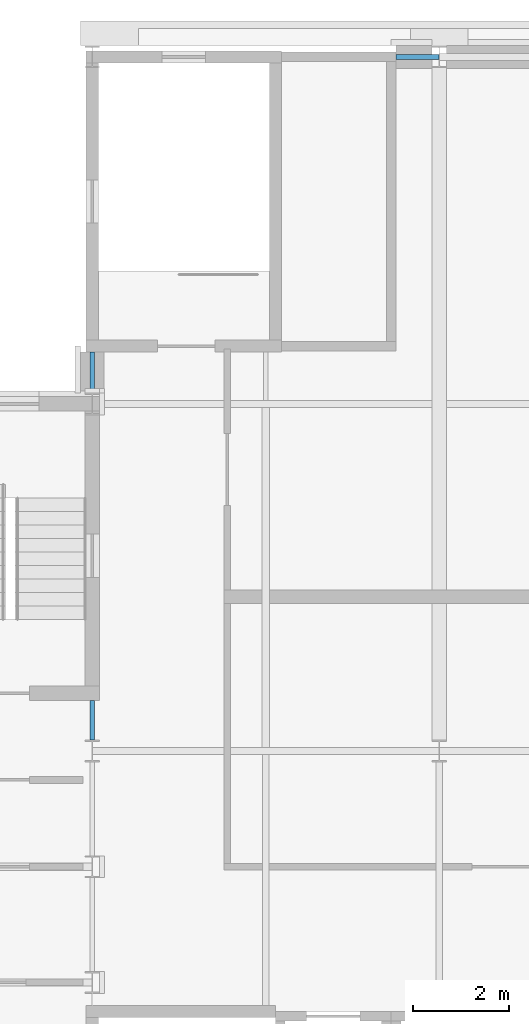
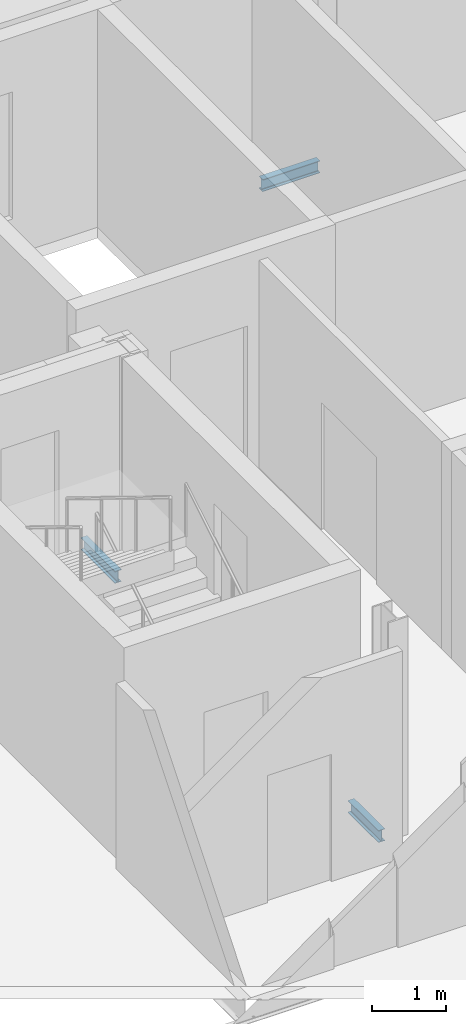
# One storey, part 83 of 142: 3 beams.
"""IFC4 building model written with IfcOpenShell, lengths in metres."""

from ifc_helpers import new_model, si_unit, direction, frame, origin, origin_2d, place, context, subcontext, project, spatial, i_section, extrude, material, material_profile, profile_set, type_object, element, save


model = new_model("IFC4")

# Units and contexts
model_context = context("Model", 3, precision=1e-05, world=origin(), true_north=direction((0.0, 1.0)))
body_context = subcontext(model_context, "Body", "Model", "MODEL_VIEW")
ifc_project = project(units=[si_unit("LENGTHUNIT", "METRE"), si_unit("AREAUNIT", "SQUARE_METRE"), si_unit("VOLUMEUNIT", "CUBIC_METRE"), si_unit("PLANEANGLEUNIT", "RADIAN"), si_unit("MASSUNIT", "GRAM", prefix="KILO")], contexts=[model_context])

# Site, building, storey
site_placement = place(None, origin())
site = spatial("IfcSite", under=ifc_project, at=site_placement, CompositionType="ELEMENT")
building_placement = place(site_placement, origin())
building = spatial("IfcBuilding", under=site, at=building_placement, Name="Kupolbacken Congress Centre", CompositionType="ELEMENT")
storey_placement = place(building_placement, frame((0.0, 0.0, 14.39990234375)))
storey = spatial("IfcBuildingStorey", under=building, at=storey_placement, Name="L04", CompositionType="ELEMENT", Elevation=14.39990234375)

# Beams
ifc_material = material(Name="Steel S355", Category="steel")
ifc_material_profile = material_profile(ifc_material, i_section(OverallWidth=0.10009765625, OverallDepth=0.199951171875, WebThickness=0.005615234375, FlangeThickness=0.008544921875, FilletRadius=0.011962890625, at=origin_2d()), Name="IPE 200")
ifc_profile_set = profile_set([ifc_material_profile], Name="Steel S355")
beam_type = type_object("IfcBeamType", Name="B01 beam IPE 200", PredefinedType="BEAM", material=ifc_profile_set)
beam_1_placement = place(storey_placement, frame((136.800048828125, 137.02490234375, -0.239990234375), z_axis=(0.0, 1.0, 0.0), x_axis=(-1.0, 0.0, 0.0)))
element("IfcBeam", 1, at=beam_1_placement, inside=storey, type_object=beam_type, Name="S/floor/T/L04/S079", PredefinedType="BEAM", context=body_context, shape_type="SweptSolid", body=[
    extrude(i_section(OverallWidth=0.10009765625, OverallDepth=0.199951171875, WebThickness=0.005615234375, FlangeThickness=0.008544921875, FilletRadius=0.011962890625, at=origin_2d()), origin(), (0.0, 0.0, 1.0), 0.8251953125),
])
beam_2_placement = place(storey_placement, frame((136.800048828125, 144.14990234375, -0.27978515625), z_axis=(0.0, 1.0, 0.0), x_axis=(-1.0, 0.0, 0.0)))
element("IfcBeam", 2, at=beam_2_placement, inside=storey, type_object=beam_type, Name="S/floor/BF/L04/G001", PredefinedType="BEAM", context=body_context, shape_type="SweptSolid", body=[
    extrude(i_section(OverallWidth=0.10009765625, OverallDepth=0.199951171875, WebThickness=0.005615234375, FlangeThickness=0.008544921875, FilletRadius=0.011962890625, at=origin_2d()), origin(), (0.0, 0.0, 1.0), 0.925048828125),
])
beam_3_placement = place(storey_placement, frame((143.10009765625, 151.199951171875, -0.27978515625), z_axis=(1.0, 0.0, 0.0), x_axis=(0.0, 1.0, 0.0)))
element("IfcBeam", 3, at=beam_3_placement, inside=storey, type_object=beam_type, Name="S/floor/BF/L04/R014", PredefinedType="BEAM", context=body_context, shape_type="SweptSolid", body=[
    extrude(i_section(OverallWidth=0.10009765625, OverallDepth=0.199951171875, WebThickness=0.005615234375, FlangeThickness=0.008544921875, FilletRadius=0.011962890625, at=origin_2d()), origin(), (0.0, 0.0, 1.0), 0.892822265625),
])

save(model, "model.ifc")
